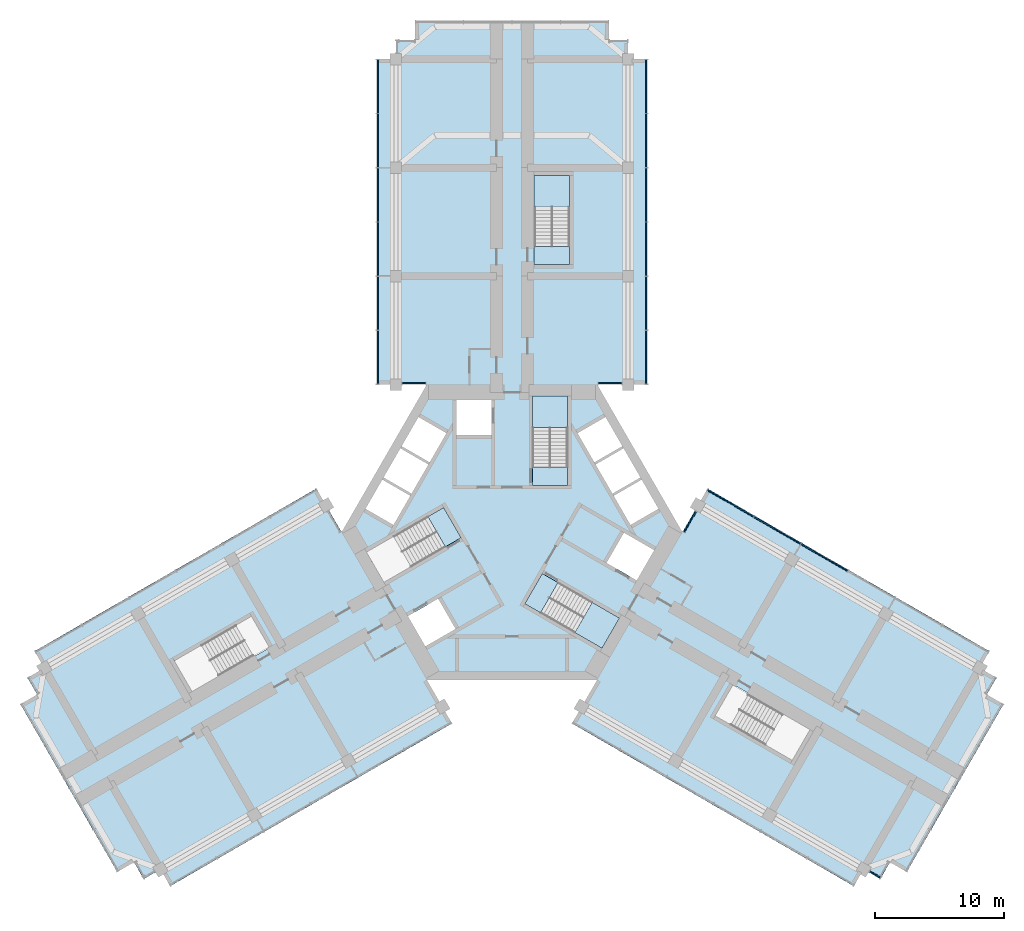
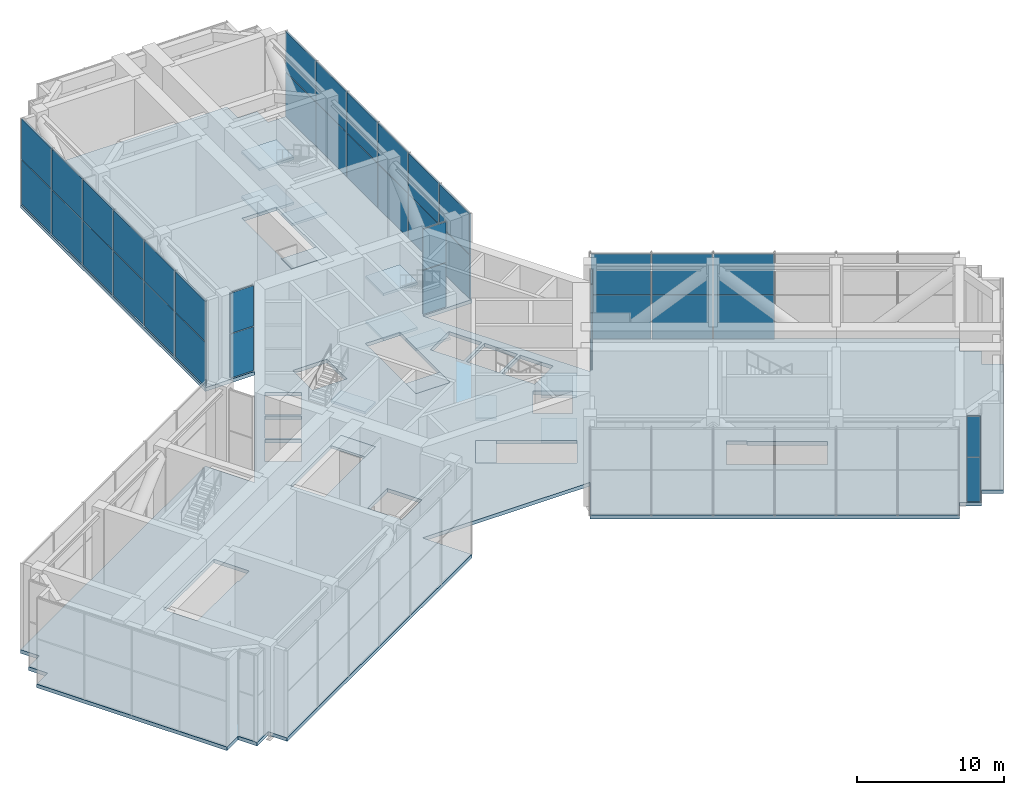
# One storey, part 10 of 16: 38 plates, 15 slabs, 11 elements without a shape of their own.
"""IFC4 building model written with IfcOpenShell, lengths in metres."""

from ifc_helpers import new_model, si_unit, direction, frame, origin, origin_2d, place, context, subcontext, project, spatial, polyline, rectangle, outline, extrude, material, layer, layer_set, type_object, element, aggregate, save


model = new_model("IFC4")

# Units and contexts
model_context = context("Model", 3, precision=1e-05, world=origin(), true_north=direction((0.0, 1.0)))
body_context = subcontext(model_context, "Body", "Model", "MODEL_VIEW")
ifc_project = project(units=[si_unit("LENGTHUNIT", "METRE"), si_unit("AREAUNIT", "SQUARE_METRE"), si_unit("VOLUMEUNIT", "CUBIC_METRE"), si_unit("PLANEANGLEUNIT", "RADIAN"), si_unit("MASSUNIT", "GRAM", prefix="KILO")], contexts=[model_context])

# Site, building, storey
site_placement = place(None, origin())
site = spatial("IfcSite", under=ifc_project, at=site_placement, CompositionType="ELEMENT")
building_placement = place(site_placement, origin())
building = spatial("IfcBuilding", under=site, at=building_placement, Name="Impinga Residences", CompositionType="ELEMENT")
storey_placement = place(building_placement, frame((0.0, 0.0, 181.0)))
storey = spatial("IfcBuildingStorey", under=building, at=storey_placement, Name="L45", CompositionType="ELEMENT", Elevation=181.0)

# Curtain wall, plates
ifc_material_1 = material(Name="Aluminium stick curtain wall", Category="aluminium")
curtain_wall_type = type_object("IfcCurtainWallType", Name="CW4 plant floor louvred curtain wall", PredefinedType="USERDEFINED", material=ifc_material_1)
curtain_wall_1_placement = place(storey_placement, origin())
curtain_wall_1 = element("IfcCurtainWall", 1, at=curtain_wall_1_placement, inside=storey, type_object=curtain_wall_type, Name="Curtain wall CW4 L45", ObjectType="STICK CURTAIN WALL", PredefinedType="USERDEFINED")
ifc_material_2 = material(Name="Aluminium louvre blade panel", Category="aluminium")
ifc_layer_1 = layer(ifc_material_2, 0.10009765625)
ifc_layer_set_1 = layer_set([ifc_layer_1], Name="CW4-P louvre panel 100")
plate_type = type_object("IfcPlateType", Name="CW4-P louvre panel 100", PredefinedType="CURTAIN_PANEL", material=ifc_layer_set_1)
plate_1_placement = place(storey_placement, frame((-7.586181640625, 11.531494140625, 0.06005859375), z_axis=(0.0, 0.0, 1.0), x_axis=(-1.0, 0.0, 0.0)))
plate_1 = element("IfcPlate", 2, at=plate_1_placement, type_object=plate_type, Name="CW4 panel 1.1", PredefinedType="CURTAIN_PANEL", context=body_context, shape_type="SweptSolid", body=[
    extrude(rectangle(XDim=1.8017578125, YDim=0.10009765625, at=origin_2d()), origin(), (0.0, 0.0, 1.0), 3.659912109375),
])
plate_2_placement = place(storey_placement, frame((-7.586181640625, 11.531494140625, 3.77978515625), z_axis=(0.0, 0.0, 1.0), x_axis=(-1.0, 0.0, 0.0)))
plate_2 = element("IfcPlate", 3, at=plate_2_placement, type_object=plate_type, Name="CW4 panel 1.2", PredefinedType="CURTAIN_PANEL", context=body_context, shape_type="SweptSolid", body=[
    extrude(rectangle(XDim=1.8017578125, YDim=0.10009765625, at=origin_2d()), origin(), (0.0, 0.0, 1.0), 3.360107421875),
])
aggregate(curtain_wall_1, [plate_1, plate_2])

curtain_wall_2_placement = place(storey_placement, origin())
curtain_wall_2 = element("IfcCurtainWall", 4, at=curtain_wall_2_placement, inside=storey, type_object=curtain_wall_type, Name="Curtain wall CW4 L45", ObjectType="STICK CURTAIN WALL", PredefinedType="USERDEFINED")
plate_3_placement = place(storey_placement, frame((-10.39990234375, 13.546630859375, 0.06005859375), z_axis=(0.0, 0.0, 1.0), x_axis=(0.0, 1.0, 0.0)))
plate_3 = element("IfcPlate", 5, at=plate_3_placement, type_object=plate_type, Name="CW4 panel 1.1", PredefinedType="CURTAIN_PANEL", context=body_context, shape_type="SweptSolid", body=[
    extrude(rectangle(XDim=4.110107421875, YDim=0.10009765625, at=origin_2d()), origin(), (0.0, 0.0, 1.0), 3.659912109375),
])
plate_4_placement = place(storey_placement, frame((-10.39990234375, 13.546630859375, 3.77978515625), z_axis=(0.0, 0.0, 1.0), x_axis=(0.0, 1.0, 0.0)))
plate_4 = element("IfcPlate", 6, at=plate_4_placement, type_object=plate_type, Name="CW4 panel 1.2", PredefinedType="CURTAIN_PANEL", context=body_context, shape_type="SweptSolid", body=[
    extrude(rectangle(XDim=4.110107421875, YDim=0.10009765625, at=origin_2d()), origin(), (0.0, 0.0, 1.0), 3.360107421875),
])
plate_5_placement = place(storey_placement, frame((-10.39990234375, 17.7314453125, 0.06005859375), z_axis=(0.0, 0.0, 1.0), x_axis=(0.0, 1.0, 0.0)))
plate_5 = element("IfcPlate", 7, at=plate_5_placement, type_object=plate_type, Name="CW4 panel 2.1", PredefinedType="CURTAIN_PANEL", context=body_context, shape_type="SweptSolid", body=[
    extrude(rectangle(XDim=4.139892578125, YDim=0.10009765625, at=origin_2d()), origin(), (0.0, 0.0, 1.0), 3.659912109375),
])
plate_6_placement = place(storey_placement, frame((-10.39990234375, 17.7314453125, 3.77978515625), z_axis=(0.0, 0.0, 1.0), x_axis=(0.0, 1.0, 0.0)))
plate_6 = element("IfcPlate", 8, at=plate_6_placement, type_object=plate_type, Name="CW4 panel 2.2", PredefinedType="CURTAIN_PANEL", context=body_context, shape_type="SweptSolid", body=[
    extrude(rectangle(XDim=4.139892578125, YDim=0.10009765625, at=origin_2d()), origin(), (0.0, 0.0, 1.0), 3.360107421875),
])
plate_7_placement = place(storey_placement, frame((-10.39990234375, 21.931640625, 0.06005859375), z_axis=(0.0, 0.0, 1.0), x_axis=(0.0, 1.0, 0.0)))
plate_7 = element("IfcPlate", 9, at=plate_7_placement, type_object=plate_type, Name="CW4 panel 3.1", PredefinedType="CURTAIN_PANEL", context=body_context, shape_type="SweptSolid", body=[
    extrude(rectangle(XDim=4.139892578125, YDim=0.10009765625, at=origin_2d()), origin(), (0.0, 0.0, 1.0), 3.659912109375),
])
plate_8_placement = place(storey_placement, frame((-10.39990234375, 21.931640625, 3.77978515625), z_axis=(0.0, 0.0, 1.0), x_axis=(0.0, 1.0, 0.0)))
plate_8 = element("IfcPlate", 10, at=plate_8_placement, type_object=plate_type, Name="CW4 panel 3.2", PredefinedType="CURTAIN_PANEL", context=body_context, shape_type="SweptSolid", body=[
    extrude(rectangle(XDim=4.139892578125, YDim=0.10009765625, at=origin_2d()), origin(), (0.0, 0.0, 1.0), 3.360107421875),
])
plate_9_placement = place(storey_placement, frame((-10.39990234375, 26.131591796875, 0.06005859375), z_axis=(0.0, 0.0, 1.0), x_axis=(0.0, 1.0, 0.0)))
plate_9 = element("IfcPlate", 11, at=plate_9_placement, type_object=plate_type, Name="CW4 panel 4.1", PredefinedType="CURTAIN_PANEL", context=body_context, shape_type="SweptSolid", body=[
    extrude(rectangle(XDim=4.139892578125, YDim=0.10009765625, at=origin_2d()), origin(), (0.0, 0.0, 1.0), 3.659912109375),
])
plate_10_placement = place(storey_placement, frame((-10.39990234375, 26.131591796875, 3.77978515625), z_axis=(0.0, 0.0, 1.0), x_axis=(0.0, 1.0, 0.0)))
plate_10 = element("IfcPlate", 12, at=plate_10_placement, type_object=plate_type, Name="CW4 panel 4.2", PredefinedType="CURTAIN_PANEL", context=body_context, shape_type="SweptSolid", body=[
    extrude(rectangle(XDim=4.139892578125, YDim=0.10009765625, at=origin_2d()), origin(), (0.0, 0.0, 1.0), 3.360107421875),
])
plate_11_placement = place(storey_placement, frame((-10.39990234375, 30.33154296875, 0.06005859375), z_axis=(0.0, 0.0, 1.0), x_axis=(0.0, 1.0, 0.0)))
plate_11 = element("IfcPlate", 13, at=plate_11_placement, type_object=plate_type, Name="CW4 panel 5.1", PredefinedType="CURTAIN_PANEL", context=body_context, shape_type="SweptSolid", body=[
    extrude(rectangle(XDim=4.139892578125, YDim=0.10009765625, at=origin_2d()), origin(), (0.0, 0.0, 1.0), 3.659912109375),
])
plate_12_placement = place(storey_placement, frame((-10.39990234375, 30.33154296875, 3.77978515625), z_axis=(0.0, 0.0, 1.0), x_axis=(0.0, 1.0, 0.0)))
plate_12 = element("IfcPlate", 14, at=plate_12_placement, type_object=plate_type, Name="CW4 panel 5.2", PredefinedType="CURTAIN_PANEL", context=body_context, shape_type="SweptSolid", body=[
    extrude(rectangle(XDim=4.139892578125, YDim=0.10009765625, at=origin_2d()), origin(), (0.0, 0.0, 1.0), 3.360107421875),
])
plate_13_placement = place(storey_placement, frame((-10.39990234375, 34.5166015625, 0.06005859375), z_axis=(0.0, 0.0, 1.0), x_axis=(0.0, 1.0, 0.0)))
plate_13 = element("IfcPlate", 15, at=plate_13_placement, type_object=plate_type, Name="CW4 panel 6.1", PredefinedType="CURTAIN_PANEL", context=body_context, shape_type="SweptSolid", body=[
    extrude(rectangle(XDim=4.110107421875, YDim=0.10009765625, at=origin_2d()), origin(), (0.0, 0.0, 1.0), 3.659912109375),
])
plate_14_placement = place(storey_placement, frame((-10.39990234375, 34.5166015625, 3.77978515625), z_axis=(0.0, 0.0, 1.0), x_axis=(0.0, 1.0, 0.0)))
plate_14 = element("IfcPlate", 16, at=plate_14_placement, type_object=plate_type, Name="CW4 panel 6.2", PredefinedType="CURTAIN_PANEL", context=body_context, shape_type="SweptSolid", body=[
    extrude(rectangle(XDim=4.110107421875, YDim=0.10009765625, at=origin_2d()), origin(), (0.0, 0.0, 1.0), 3.360107421875),
])
aggregate(curtain_wall_2, [plate_3, plate_4, plate_5, plate_6, plate_7, plate_8, plate_9, plate_10, plate_11, plate_12, plate_13, plate_14])

curtain_wall_3_placement = place(storey_placement, origin())
curtain_wall_3 = element("IfcCurtainWall", 17, at=curtain_wall_3_placement, inside=storey, type_object=curtain_wall_type, Name="Curtain wall CW4 L45", ObjectType="STICK CURTAIN WALL", PredefinedType="USERDEFINED")
plate_15_placement = place(storey_placement, frame((10.39990234375, 34.5166015625, 0.06005859375), z_axis=(0.0, 0.0, 1.0), x_axis=(0.0, -1.0, 0.0)))
plate_15 = element("IfcPlate", 18, at=plate_15_placement, type_object=plate_type, Name="CW4 panel 1.1", PredefinedType="CURTAIN_PANEL", context=body_context, shape_type="SweptSolid", body=[
    extrude(rectangle(XDim=4.110107421875, YDim=0.10009765625, at=origin_2d()), origin(), (0.0, 0.0, 1.0), 3.659912109375),
])
plate_16_placement = place(storey_placement, frame((10.39990234375, 34.5166015625, 3.77978515625), z_axis=(0.0, 0.0, 1.0), x_axis=(0.0, -1.0, 0.0)))
plate_16 = element("IfcPlate", 19, at=plate_16_placement, type_object=plate_type, Name="CW4 panel 1.2", PredefinedType="CURTAIN_PANEL", context=body_context, shape_type="SweptSolid", body=[
    extrude(rectangle(XDim=4.110107421875, YDim=0.10009765625, at=origin_2d()), origin(), (0.0, 0.0, 1.0), 3.360107421875),
])
plate_17_placement = place(storey_placement, frame((10.39990234375, 30.33154296875, 0.06005859375), z_axis=(0.0, 0.0, 1.0), x_axis=(0.0, -1.0, 0.0)))
plate_17 = element("IfcPlate", 20, at=plate_17_placement, type_object=plate_type, Name="CW4 panel 2.1", PredefinedType="CURTAIN_PANEL", context=body_context, shape_type="SweptSolid", body=[
    extrude(rectangle(XDim=4.139892578125, YDim=0.10009765625, at=origin_2d()), origin(), (0.0, 0.0, 1.0), 3.659912109375),
])
plate_18_placement = place(storey_placement, frame((10.39990234375, 30.33154296875, 3.77978515625), z_axis=(0.0, 0.0, 1.0), x_axis=(0.0, -1.0, 0.0)))
plate_18 = element("IfcPlate", 21, at=plate_18_placement, type_object=plate_type, Name="CW4 panel 2.2", PredefinedType="CURTAIN_PANEL", context=body_context, shape_type="SweptSolid", body=[
    extrude(rectangle(XDim=4.139892578125, YDim=0.10009765625, at=origin_2d()), origin(), (0.0, 0.0, 1.0), 3.360107421875),
])
plate_19_placement = place(storey_placement, frame((10.39990234375, 26.131591796875, 0.06005859375), z_axis=(0.0, 0.0, 1.0), x_axis=(0.0, -1.0, 0.0)))
plate_19 = element("IfcPlate", 22, at=plate_19_placement, type_object=plate_type, Name="CW4 panel 3.1", PredefinedType="CURTAIN_PANEL", context=body_context, shape_type="SweptSolid", body=[
    extrude(rectangle(XDim=4.139892578125, YDim=0.10009765625, at=origin_2d()), origin(), (0.0, 0.0, 1.0), 3.659912109375),
])
plate_20_placement = place(storey_placement, frame((10.39990234375, 26.131591796875, 3.77978515625), z_axis=(0.0, 0.0, 1.0), x_axis=(0.0, -1.0, 0.0)))
plate_20 = element("IfcPlate", 23, at=plate_20_placement, type_object=plate_type, Name="CW4 panel 3.2", PredefinedType="CURTAIN_PANEL", context=body_context, shape_type="SweptSolid", body=[
    extrude(rectangle(XDim=4.139892578125, YDim=0.10009765625, at=origin_2d()), origin(), (0.0, 0.0, 1.0), 3.360107421875),
])
plate_21_placement = place(storey_placement, frame((10.39990234375, 21.931640625, 0.06005859375), z_axis=(0.0, 0.0, 1.0), x_axis=(0.0, -1.0, 0.0)))
plate_21 = element("IfcPlate", 24, at=plate_21_placement, type_object=plate_type, Name="CW4 panel 4.1", PredefinedType="CURTAIN_PANEL", context=body_context, shape_type="SweptSolid", body=[
    extrude(rectangle(XDim=4.139892578125, YDim=0.10009765625, at=origin_2d()), origin(), (0.0, 0.0, 1.0), 3.659912109375),
])
plate_22_placement = place(storey_placement, frame((10.39990234375, 21.931640625, 3.77978515625), z_axis=(0.0, 0.0, 1.0), x_axis=(0.0, -1.0, 0.0)))
plate_22 = element("IfcPlate", 25, at=plate_22_placement, type_object=plate_type, Name="CW4 panel 4.2", PredefinedType="CURTAIN_PANEL", context=body_context, shape_type="SweptSolid", body=[
    extrude(rectangle(XDim=4.139892578125, YDim=0.10009765625, at=origin_2d()), origin(), (0.0, 0.0, 1.0), 3.360107421875),
])
plate_23_placement = place(storey_placement, frame((10.39990234375, 17.7314453125, 0.06005859375), z_axis=(0.0, 0.0, 1.0), x_axis=(0.0, -1.0, 0.0)))
plate_23 = element("IfcPlate", 26, at=plate_23_placement, type_object=plate_type, Name="CW4 panel 5.1", PredefinedType="CURTAIN_PANEL", context=body_context, shape_type="SweptSolid", body=[
    extrude(rectangle(XDim=4.139892578125, YDim=0.10009765625, at=origin_2d()), origin(), (0.0, 0.0, 1.0), 3.659912109375),
])
plate_24_placement = place(storey_placement, frame((10.39990234375, 17.7314453125, 3.77978515625), z_axis=(0.0, 0.0, 1.0), x_axis=(0.0, -1.0, 0.0)))
plate_24 = element("IfcPlate", 27, at=plate_24_placement, type_object=plate_type, Name="CW4 panel 5.2", PredefinedType="CURTAIN_PANEL", context=body_context, shape_type="SweptSolid", body=[
    extrude(rectangle(XDim=4.139892578125, YDim=0.10009765625, at=origin_2d()), origin(), (0.0, 0.0, 1.0), 3.360107421875),
])
plate_25_placement = place(storey_placement, frame((10.39990234375, 13.546630859375, 0.06005859375), z_axis=(0.0, 0.0, 1.0), x_axis=(0.0, -1.0, 0.0)))
plate_25 = element("IfcPlate", 28, at=plate_25_placement, type_object=plate_type, Name="CW4 panel 6.1", PredefinedType="CURTAIN_PANEL", context=body_context, shape_type="SweptSolid", body=[
    extrude(rectangle(XDim=4.110107421875, YDim=0.10009765625, at=origin_2d()), origin(), (0.0, 0.0, 1.0), 3.659912109375),
])
plate_26_placement = place(storey_placement, frame((10.39990234375, 13.546630859375, 3.77978515625), z_axis=(0.0, 0.0, 1.0), x_axis=(0.0, -1.0, 0.0)))
plate_26 = element("IfcPlate", 29, at=plate_26_placement, type_object=plate_type, Name="CW4 panel 6.2", PredefinedType="CURTAIN_PANEL", context=body_context, shape_type="SweptSolid", body=[
    extrude(rectangle(XDim=4.110107421875, YDim=0.10009765625, at=origin_2d()), origin(), (0.0, 0.0, 1.0), 3.360107421875),
])
aggregate(curtain_wall_3, [plate_15, plate_16, plate_17, plate_18, plate_19, plate_20, plate_21, plate_22, plate_23, plate_24, plate_25, plate_26])

curtain_wall_4_placement = place(storey_placement, origin())
curtain_wall_4 = element("IfcCurtainWall", 30, at=curtain_wall_4_placement, inside=storey, type_object=curtain_wall_type, Name="Curtain wall CW4 L45", ObjectType="STICK CURTAIN WALL", PredefinedType="USERDEFINED")
plate_27_placement = place(storey_placement, frame((7.586181640625, 11.531494140625, 0.06005859375), z_axis=(0.0, 0.0, 1.0), x_axis=(-1.0, 0.0, 0.0)))
plate_27 = element("IfcPlate", 31, at=plate_27_placement, type_object=plate_type, Name="CW4 panel 1.1", PredefinedType="CURTAIN_PANEL", context=body_context, shape_type="SweptSolid", body=[
    extrude(rectangle(XDim=1.8017578125, YDim=0.10009765625, at=origin_2d()), origin(), (0.0, 0.0, 1.0), 3.659912109375),
])
plate_28_placement = place(storey_placement, frame((7.586181640625, 11.531494140625, 3.77978515625), z_axis=(0.0, 0.0, 1.0), x_axis=(-1.0, 0.0, 0.0)))
plate_28 = element("IfcPlate", 32, at=plate_28_placement, type_object=plate_type, Name="CW4 panel 1.2", PredefinedType="CURTAIN_PANEL", context=body_context, shape_type="SweptSolid", body=[
    extrude(rectangle(XDim=1.8017578125, YDim=0.10009765625, at=origin_2d()), origin(), (0.0, 0.0, 1.0), 3.360107421875),
])
aggregate(curtain_wall_4, [plate_27, plate_28])

curtain_wall_5_placement = place(storey_placement, origin())
curtain_wall_5 = element("IfcCurtainWall", 33, at=curtain_wall_5_placement, inside=storey, type_object=curtain_wall_type, Name="Curtain wall CW4 L45", ObjectType="STICK CURTAIN WALL", PredefinedType="USERDEFINED")
plate_29_placement = place(storey_placement, frame((13.779541015625, 0.803955078125, 0.06005859375), z_axis=(0.0, 0.0, 1.0), x_axis=(0.500000139919, 0.866025323002, 0.0)))
plate_29 = element("IfcPlate", 34, at=plate_29_placement, type_object=plate_type, Name="CW4 panel 1.1", PredefinedType="CURTAIN_PANEL", context=body_context, shape_type="SweptSolid", body=[
    extrude(rectangle(XDim=1.8017578125, YDim=0.10009765625, at=origin_2d()), origin(), (0.0, 0.0, 1.0), 3.659912109375),
])
plate_30_placement = place(storey_placement, frame((13.779541015625, 0.803955078125, 3.77978515625), z_axis=(0.0, 0.0, 1.0), x_axis=(0.500000139919, 0.866025323002, 0.0)))
plate_30 = element("IfcPlate", 35, at=plate_30_placement, type_object=plate_type, Name="CW4 panel 1.2", PredefinedType="CURTAIN_PANEL", context=body_context, shape_type="SweptSolid", body=[
    extrude(rectangle(XDim=1.8017578125, YDim=0.10009765625, at=origin_2d()), origin(), (0.0, 0.0, 1.0), 3.360107421875),
])
aggregate(curtain_wall_5, [plate_29, plate_30])

curtain_wall_6_placement = place(storey_placement, origin())
curtain_wall_6 = element("IfcCurtainWall", 36, at=curtain_wall_6_placement, inside=storey, type_object=curtain_wall_type, Name="Curtain wall CW4 L45", ObjectType="STICK CURTAIN WALL", PredefinedType="USERDEFINED")
plate_31_placement = place(storey_placement, frame((16.931640625, 2.2333984375, 0.06005859375), z_axis=(0.0, 0.0, 1.0), x_axis=(0.866025402048, -0.500000003008, 0.0)))
plate_31 = element("IfcPlate", 37, at=plate_31_placement, type_object=plate_type, Name="CW4 panel 1.1", PredefinedType="CURTAIN_PANEL", context=body_context, shape_type="SweptSolid", body=[
    extrude(rectangle(XDim=4.110107421875, YDim=0.10009765625, at=origin_2d()), origin(), (0.0, 0.0, 1.0), 3.659912109375),
])
plate_32_placement = place(storey_placement, frame((16.931640625, 2.2333984375, 3.77978515625), z_axis=(0.0, 0.0, 1.0), x_axis=(0.866025402048, -0.500000003008, 0.0)))
plate_32 = element("IfcPlate", 38, at=plate_32_placement, type_object=plate_type, Name="CW4 panel 1.2", PredefinedType="CURTAIN_PANEL", context=body_context, shape_type="SweptSolid", body=[
    extrude(rectangle(XDim=4.110107421875, YDim=0.10009765625, at=origin_2d()), origin(), (0.0, 0.0, 1.0), 3.360107421875),
])
plate_33_placement = place(storey_placement, frame((20.555908203125, 0.140869140625, 0.06005859375), z_axis=(0.0, 0.0, 1.0), x_axis=(0.866025402048, -0.500000003008, 0.0)))
plate_33 = element("IfcPlate", 39, at=plate_33_placement, type_object=plate_type, Name="CW4 panel 2.1", PredefinedType="CURTAIN_PANEL", context=body_context, shape_type="SweptSolid", body=[
    extrude(rectangle(XDim=4.139892578125, YDim=0.10009765625, at=origin_2d()), origin(), (0.0, 0.0, 1.0), 3.659912109375),
])
plate_34_placement = place(storey_placement, frame((20.555908203125, 0.140869140625, 3.77978515625), z_axis=(0.0, 0.0, 1.0), x_axis=(0.866025402048, -0.500000003008, 0.0)))
plate_34 = element("IfcPlate", 40, at=plate_34_placement, type_object=plate_type, Name="CW4 panel 2.2", PredefinedType="CURTAIN_PANEL", context=body_context, shape_type="SweptSolid", body=[
    extrude(rectangle(XDim=4.139892578125, YDim=0.10009765625, at=origin_2d()), origin(), (0.0, 0.0, 1.0), 3.360107421875),
])
plate_35_placement = place(storey_placement, frame((24.193359375, -1.958984375, 0.06005859375), z_axis=(0.0, 0.0, 1.0), x_axis=(0.866025402048, -0.500000003008, 0.0)))
plate_35 = element("IfcPlate", 41, at=plate_35_placement, type_object=plate_type, Name="CW4 panel 3.1", PredefinedType="CURTAIN_PANEL", context=body_context, shape_type="SweptSolid", body=[
    extrude(rectangle(XDim=4.139892578125, YDim=0.10009765625, at=origin_2d()), origin(), (0.0, 0.0, 1.0), 3.659912109375),
])
plate_36_placement = place(storey_placement, frame((24.193359375, -1.958984375, 3.77978515625), z_axis=(0.0, 0.0, 1.0), x_axis=(0.866025402048, -0.500000003008, 0.0)))
plate_36 = element("IfcPlate", 42, at=plate_36_placement, type_object=plate_type, Name="CW4 panel 3.2", PredefinedType="CURTAIN_PANEL", context=body_context, shape_type="SweptSolid", body=[
    extrude(rectangle(XDim=4.139892578125, YDim=0.10009765625, at=origin_2d()), origin(), (0.0, 0.0, 1.0), 3.360107421875),
])
aggregate(curtain_wall_6, [plate_31, plate_32, plate_33, plate_34, plate_35, plate_36])

curtain_wall_7_placement = place(storey_placement, origin())
curtain_wall_7 = element("IfcCurtainWall", 43, at=curtain_wall_7_placement, inside=storey, type_object=curtain_wall_type, Name="Curtain wall CW4 L45", ObjectType="STICK CURTAIN WALL", PredefinedType="USERDEFINED")
plate_37_placement = place(storey_placement, frame((28.11962890625, -26.51171875, 0.06005859375), z_axis=(0.0, 0.0, 1.0), x_axis=(-0.86602549983, 0.499999833644, 0.0)))
plate_37 = element("IfcPlate", 44, at=plate_37_placement, type_object=plate_type, Name="CW4 panel 1.1", PredefinedType="CURTAIN_PANEL", context=body_context, shape_type="SweptSolid", body=[
    extrude(rectangle(XDim=0.927001953125, YDim=0.10009765625, at=origin_2d()), origin(), (0.0, 0.0, 1.0), 3.659912109375),
])
plate_38_placement = place(storey_placement, frame((28.11962890625, -26.51171875, 3.77978515625), z_axis=(0.0, 0.0, 1.0), x_axis=(-0.86602549983, 0.499999833644, 0.0)))
plate_38 = element("IfcPlate", 45, at=plate_38_placement, type_object=plate_type, Name="CW4 panel 1.2", PredefinedType="CURTAIN_PANEL", context=body_context, shape_type="SweptSolid", body=[
    extrude(rectangle(XDim=0.927001953125, YDim=0.10009765625, at=origin_2d()), origin(), (0.0, 0.0, 1.0), 3.360107421875),
])
aggregate(curtain_wall_7, [plate_37, plate_38])

# Slab
ifc_material_3 = material(Name="Concrete C60/75", Category="concrete")
ifc_layer_2 = layer(ifc_material_3, 0.300048828125)
ifc_layer_set_2 = layer_set([ifc_layer_2], Name="Concrete C60/75")
slab_type_1 = type_object("IfcSlabType", Name="FS2 podium, plant and crown floor slab 300", PredefinedType="FLOOR", material=ifc_layer_set_2)
slab_1_placement = place(storey_placement, frame((0.0, 0.0, -0.300048828125)))
element("IfcSlab", 46, at=slab_1_placement, inside=storey, type_object=slab_type_1, Name="Floor slab FS2 L45", PredefinedType="FLOOR", context=body_context, shape_type="SweptSolid", body=[
    extrude(outline(polyline([(-27.223876953125, -26.110107421875), (-28.52294921875, -26.860107421875), (-29.27294921875, -25.56103515625), (-30.572021484375, -26.31103515625), (-38.072021484375, -13.320556640625), (-36.77294921875, -12.570556640625), (-37.52294921875, -11.271484375), (-36.223876953125, -10.521484375), (-36.973876953125, -9.222412109375), (-15.14990234375, 3.37744140625), (-13.199951171875, 0.0), (-6.60009765625, 11.431640625), (-10.5, 11.431640625), (-10.5, 36.631591796875), (-9.0, 36.631591796875), (-9.0, 38.131591796875), (-7.5, 38.131591796875), (-7.5, 39.631591796875), (7.5, 39.631591796875), (7.5, 38.131591796875), (9.0, 38.131591796875), (9.0, 36.631591796875), (10.5, 36.631591796875), (10.5, 11.431640625), (6.60009765625, 11.431640625), (13.199951171875, 0.0), (15.14990234375, 3.37744140625), (36.973876953125, -9.222412109375), (36.223876953125, -10.521484375), (37.52294921875, -11.271484375), (36.77294921875, -12.570556640625), (38.072021484375, -13.320556640625), (30.572021484375, -26.31103515625), (29.27294921875, -25.56103515625), (28.52294921875, -26.860107421875), (27.223876953125, -26.110107421875), (26.473876953125, -27.408935546875), (4.64990234375, -14.80908203125), (9.900146484375, -5.7158203125), (6.60009765625, -11.431640625), (-6.60009765625, -11.431640625), (-9.900146484375, -5.7158203125), (-4.64990234375, -14.80908203125), (-26.473876953125, -27.408935546875), (-27.223876953125, -26.110107421875)]), holes=[polyline([(-18.779052734375, -8.936767578125), (-18.8291015625, -8.850341796875), (-18.8291015625, -8.850341796875), (-20.178955078125, -6.511962890625), (-21.391357421875, -7.2119140625), (-21.391357421875, -7.2119140625), (-26.154541015625, -9.9619140625), (-24.8046875, -12.30029296875), (-20.04150390625, -9.55029296875), (-20.016357421875, -9.593505859375), (-20.016357421875, -9.593505859375), (-19.991455078125, -9.63671875), (-18.779052734375, -8.936767578125)]), polyline([(-4.37109375, -7.489013671875), (-5.72119140625, -5.150634765625), (-8.060791015625, -6.50146484375), (-6.710693359375, -8.839599609375), (-4.37109375, -7.489013671875)]), polyline([(-3.943603515625, -0.429443359375), (-5.293701171875, 1.908935546875), (-11.2705078125, -1.541748046875), (-9.920654296875, -3.880126953125), (-3.943603515625, -0.429443359375)]), polyline([(-7.878662109375, 2.816650390625), (-10.043701171875, 4.066650390625), (-11.34375, 1.81494140625), (-9.1787109375, 0.56494140625), (-7.878662109375, 2.816650390625)]), polyline([(-6.478759765625, 5.24169921875), (-8.643798828125, 6.49169921875), (-9.94384765625, 4.239990234375), (-7.77880859375, 2.989990234375), (-6.478759765625, 5.24169921875)]), polyline([(4.300048828125, 3.6298828125), (4.300048828125, 10.531494140625), (1.60009765625, 10.531494140625), (1.60009765625, 3.6298828125), (4.300048828125, 3.6298828125)]), polyline([(-6.378662109375, 5.414794921875), (-5.07861328125, 7.66650390625), (-7.243896484375, 8.91650390625), (-8.543701171875, 6.664794921875), (-6.378662109375, 5.414794921875)]), polyline([(-4.300048828125, 7.530029296875), (-1.60009765625, 7.530029296875), (-1.60009765625, 10.2314453125), (-4.300048828125, 10.2314453125), (-4.300048828125, 7.530029296875)]), polyline([(4.449951171875, 20.7314453125), (4.449951171875, 22.131591796875), (4.449951171875, 27.631591796875), (1.75, 27.631591796875), (1.75, 22.131591796875), (1.699951171875, 22.131591796875), (1.64990234375, 22.131591796875), (1.64990234375, 20.7314453125), (1.699951171875, 20.7314453125), (1.75, 20.7314453125), (4.449951171875, 20.7314453125)]), polyline([(15.72900390625, -14.219482421875), (21.70458984375, -17.669677734375), (23.0546875, -15.331298828125), (18.29150390625, -12.581298828125), (18.341552734375, -12.49462890625), (17.129150390625, -11.794677734375), (17.10400390625, -11.837890625), (17.10400390625, -11.837890625), (15.72900390625, -14.219482421875)]), polyline([(2.34375, -3.20068359375), (0.99365234375, -5.538818359375), (6.970458984375, -8.98974609375), (8.320556640625, -6.6513671875), (2.34375, -3.20068359375)]), polyline([(7.3212890625, -2.37939453125), (9.660888671875, -3.730224609375), (11.0107421875, -1.391845703125), (8.671142578125, -0.041015625), (7.3212890625, -2.37939453125)]), polyline([(7.878662109375, 2.816650390625), (9.1787109375, 0.56494140625), (11.34375, 1.81494140625), (10.043701171875, 4.066650390625), (7.878662109375, 2.816650390625)]), polyline([(6.478759765625, 5.24169921875), (7.77880859375, 2.989990234375), (9.94384765625, 4.239990234375), (8.643798828125, 6.49169921875), (6.478759765625, 5.24169921875)]), polyline([(6.378662109375, 5.414794921875), (8.543701171875, 6.664794921875), (7.243896484375, 8.91650390625), (5.07861328125, 7.66650390625), (6.378662109375, 5.414794921875)])]), origin(), (0.0, 0.0, 1.0), 0.300048828125),
])

# Stair, slabs
ifc_material_4 = material(Name="Concrete C40/50", Category="concrete")
stair_type_1 = type_object("IfcStairType", Name="STR core stair 7500 storey, 48 risers", PredefinedType="HALF_TURN_STAIR", material=ifc_material_4)
stair_1_placement = place(storey_placement, origin())
stair_1 = element("IfcStair", 47, at=stair_1_placement, inside=storey, type_object=stair_type_1, Name="Stair ST1 L45", PredefinedType="HALF_TURN_STAIR")
ifc_layer_3 = layer(ifc_material_4, 0.199951171875)
ifc_layer_set_3 = layer_set([ifc_layer_3], Name="Concrete C40/50")
slab_type_2 = type_object("IfcSlabType", Name="LS1 stair landing 200", PredefinedType="LANDING", material=ifc_layer_set_3)
slab_2_placement = place(storey_placement, frame((0.0, 0.0, -0.199951171875)))
slab_2 = element("IfcSlab", 48, at=slab_2_placement, type_object=slab_type_2, Name="ST1 landing 1", PredefinedType="LANDING", context=body_context, shape_type="SweptSolid", body=[
    extrude(outline(polyline([(1.60009765625, 3.6298828125), (4.300048828125, 3.6298828125), (4.300048828125, 5.0400390625), (1.60009765625, 5.0400390625), (1.60009765625, 3.6298828125)])), origin(), (0.0, 0.0, 1.0), 0.199951171875),
])
slab_3_placement = place(storey_placement, frame((0.0, 0.0, 1.675048828125)))
slab_3 = element("IfcSlab", 49, at=slab_3_placement, type_object=slab_type_2, Name="ST1 landing 2", PredefinedType="LANDING", context=body_context, shape_type="SweptSolid", body=[
    extrude(outline(polyline([(1.60009765625, 8.10009765625), (4.300048828125, 8.10009765625), (4.300048828125, 10.531494140625), (1.60009765625, 10.531494140625), (1.60009765625, 8.10009765625)])), origin(), (0.0, 0.0, 1.0), 0.199951171875),
])
slab_4_placement = place(storey_placement, frame((0.0, 0.0, 3.550048828125)))
slab_4 = element("IfcSlab", 50, at=slab_4_placement, type_object=slab_type_2, Name="ST1 landing 3", PredefinedType="LANDING", context=body_context, shape_type="SweptSolid", body=[
    extrude(outline(polyline([(1.60009765625, 3.6298828125), (4.300048828125, 3.6298828125), (4.300048828125, 5.0400390625), (1.60009765625, 5.0400390625), (1.60009765625, 3.6298828125)])), origin(), (0.0, 0.0, 1.0), 0.199951171875),
])
slab_5_placement = place(storey_placement, frame((0.0, 0.0, 5.425048828125)))
slab_5 = element("IfcSlab", 51, at=slab_5_placement, type_object=slab_type_2, Name="ST1 landing 4", PredefinedType="LANDING", context=body_context, shape_type="SweptSolid", body=[
    extrude(outline(polyline([(1.60009765625, 8.10009765625), (4.300048828125, 8.10009765625), (4.300048828125, 10.531494140625), (1.60009765625, 10.531494140625), (1.60009765625, 8.10009765625)])), origin(), (0.0, 0.0, 1.0), 0.199951171875),
])
aggregate(stair_1, [slab_2, slab_3, slab_4, slab_5])

stair_2_placement = place(storey_placement, origin())
stair_2 = element("IfcStair", 52, at=stair_2_placement, inside=storey, type_object=stair_type_1, Name="Stair ST2 L45", PredefinedType="HALF_TURN_STAIR")
slab_6_placement = place(storey_placement, frame((0.0, 0.0, -0.199951171875)))
slab_6 = element("IfcSlab", 53, at=slab_6_placement, type_object=slab_type_2, Name="ST2 landing 1", PredefinedType="LANDING", context=body_context, shape_type="SweptSolid", body=[
    extrude(outline(polyline([(-3.943603515625, -0.429443359375), (-5.293701171875, 1.908935546875), (-6.5146484375, 1.203857421875), (-5.164794921875, -1.13427734375), (-3.943603515625, -0.429443359375)])), origin(), (0.0, 0.0, 1.0), 0.199951171875),
])
slab_7_placement = place(storey_placement, frame((0.0, 0.0, 3.550048828125)))
slab_7 = element("IfcSlab", 54, at=slab_7_placement, type_object=slab_type_2, Name="ST2 landing 3", PredefinedType="LANDING", context=body_context, shape_type="SweptSolid", body=[
    extrude(outline(polyline([(-3.943603515625, -0.429443359375), (-5.293701171875, 1.908935546875), (-6.5146484375, 1.203857421875), (-5.164794921875, -1.13427734375), (-3.943603515625, -0.429443359375)])), origin(), (0.0, 0.0, 1.0), 0.199951171875),
])
aggregate(stair_2, [slab_6, slab_7])

stair_3_placement = place(storey_placement, origin())
stair_3 = element("IfcStair", 55, at=stair_3_placement, inside=storey, type_object=stair_type_1, Name="Stair ST3 L45", PredefinedType="HALF_TURN_STAIR")
slab_8_placement = place(storey_placement, frame((0.0, 0.0, -0.199951171875)))
slab_8 = element("IfcSlab", 56, at=slab_8_placement, type_object=slab_type_2, Name="ST3 landing 1", PredefinedType="LANDING", context=body_context, shape_type="SweptSolid", body=[
    extrude(outline(polyline([(2.34375, -3.20068359375), (0.99365234375, -5.538818359375), (2.21484375, -6.243896484375), (3.564697265625, -3.90576171875), (2.34375, -3.20068359375)])), origin(), (0.0, 0.0, 1.0), 0.199951171875),
])
slab_9_placement = place(storey_placement, frame((0.0, 0.0, 1.675048828125)))
slab_9 = element("IfcSlab", 57, at=slab_9_placement, type_object=slab_type_2, Name="ST3 landing 2", PredefinedType="LANDING", context=body_context, shape_type="SweptSolid", body=[
    extrude(outline(polyline([(6.21484375, -5.435546875), (4.86474609375, -7.77392578125), (6.970458984375, -8.98974609375), (8.320556640625, -6.6513671875), (6.21484375, -5.435546875)])), origin(), (0.0, 0.0, 1.0), 0.199951171875),
])
slab_10_placement = place(storey_placement, frame((0.0, 0.0, 3.550048828125)))
slab_10 = element("IfcSlab", 58, at=slab_10_placement, type_object=slab_type_2, Name="ST3 landing 3", PredefinedType="LANDING", context=body_context, shape_type="SweptSolid", body=[
    extrude(outline(polyline([(2.34375, -3.20068359375), (0.99365234375, -5.538818359375), (2.21484375, -6.243896484375), (3.564697265625, -3.90576171875), (2.34375, -3.20068359375)])), origin(), (0.0, 0.0, 1.0), 0.199951171875),
])
slab_11_placement = place(storey_placement, frame((0.0, 0.0, 5.425048828125)))
slab_11 = element("IfcSlab", 59, at=slab_11_placement, type_object=slab_type_2, Name="ST3 landing 4", PredefinedType="LANDING", context=body_context, shape_type="SweptSolid", body=[
    extrude(outline(polyline([(6.21484375, -5.435546875), (4.86474609375, -7.77392578125), (6.970458984375, -8.98974609375), (8.320556640625, -6.6513671875), (6.21484375, -5.435546875)])), origin(), (0.0, 0.0, 1.0), 0.199951171875),
])
aggregate(stair_3, [slab_8, slab_9, slab_10, slab_11])

stair_type_2 = type_object("IfcStairType", Name="STR wing stair 7500 storey, 48 risers", PredefinedType="HALF_TURN_STAIR", material=ifc_material_4)
stair_4_placement = place(storey_placement, origin())
stair_4 = element("IfcStair", 60, at=stair_4_placement, inside=storey, type_object=stair_type_2, Name="Stair WS1 L45", PredefinedType="HALF_TURN_STAIR")
slab_12_placement = place(storey_placement, frame((0.0, 0.0, -0.199951171875)))
slab_12 = element("IfcSlab", 61, at=slab_12_placement, type_object=slab_type_2, Name="WS1 landing 1", PredefinedType="LANDING", context=body_context, shape_type="SweptSolid", body=[
    extrude(outline(polyline([(1.699951171875, 20.7314453125), (4.449951171875, 20.7314453125), (4.449951171875, 22.1416015625), (1.699951171875, 22.1416015625), (1.699951171875, 20.7314453125)])), origin(), (0.0, 0.0, 1.0), 0.199951171875),
])
slab_13_placement = place(storey_placement, frame((0.0, 0.0, 1.675048828125)))
slab_13 = element("IfcSlab", 62, at=slab_13_placement, type_object=slab_type_2, Name="WS1 landing 2", PredefinedType="LANDING", context=body_context, shape_type="SweptSolid", body=[
    extrude(outline(polyline([(1.699951171875, 25.201416015625), (4.449951171875, 25.201416015625), (4.449951171875, 27.631591796875), (1.699951171875, 27.631591796875), (1.699951171875, 25.201416015625)])), origin(), (0.0, 0.0, 1.0), 0.199951171875),
])
slab_14_placement = place(storey_placement, frame((0.0, 0.0, 3.550048828125)))
slab_14 = element("IfcSlab", 63, at=slab_14_placement, type_object=slab_type_2, Name="WS1 landing 3", PredefinedType="LANDING", context=body_context, shape_type="SweptSolid", body=[
    extrude(outline(polyline([(1.699951171875, 20.7314453125), (4.449951171875, 20.7314453125), (4.449951171875, 22.1416015625), (1.699951171875, 22.1416015625), (1.699951171875, 20.7314453125)])), origin(), (0.0, 0.0, 1.0), 0.199951171875),
])
slab_15_placement = place(storey_placement, frame((0.0, 0.0, 5.425048828125)))
slab_15 = element("IfcSlab", 64, at=slab_15_placement, type_object=slab_type_2, Name="WS1 landing 4", PredefinedType="LANDING", context=body_context, shape_type="SweptSolid", body=[
    extrude(outline(polyline([(1.699951171875, 25.201416015625), (4.449951171875, 25.201416015625), (4.449951171875, 27.631591796875), (1.699951171875, 27.631591796875), (1.699951171875, 25.201416015625)])), origin(), (0.0, 0.0, 1.0), 0.199951171875),
])
aggregate(stair_4, [slab_12, slab_13, slab_14, slab_15])

save(model, "model.ifc")
